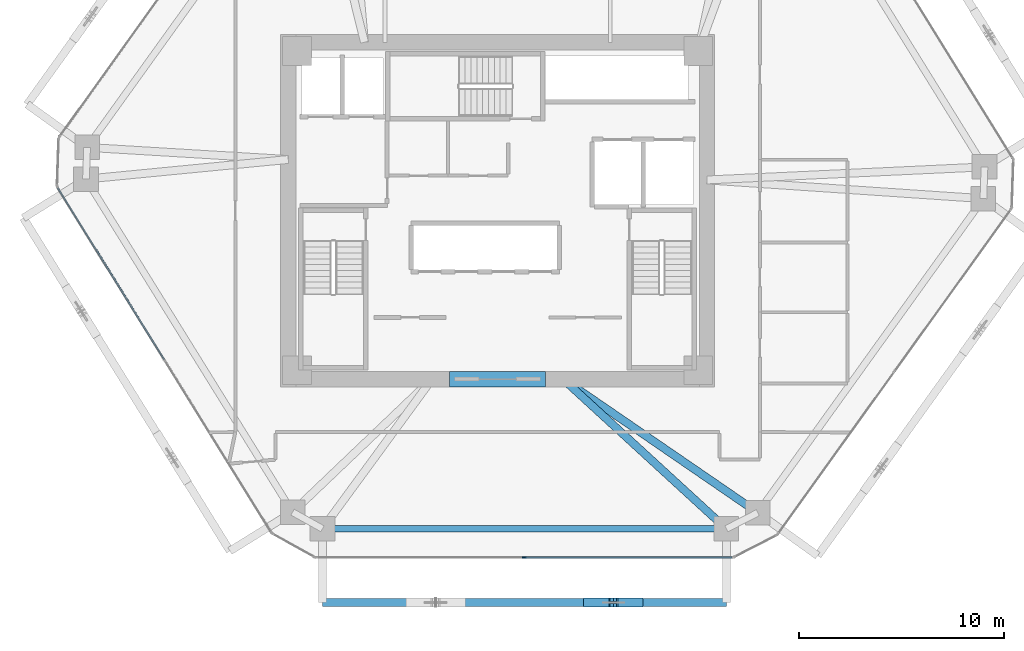
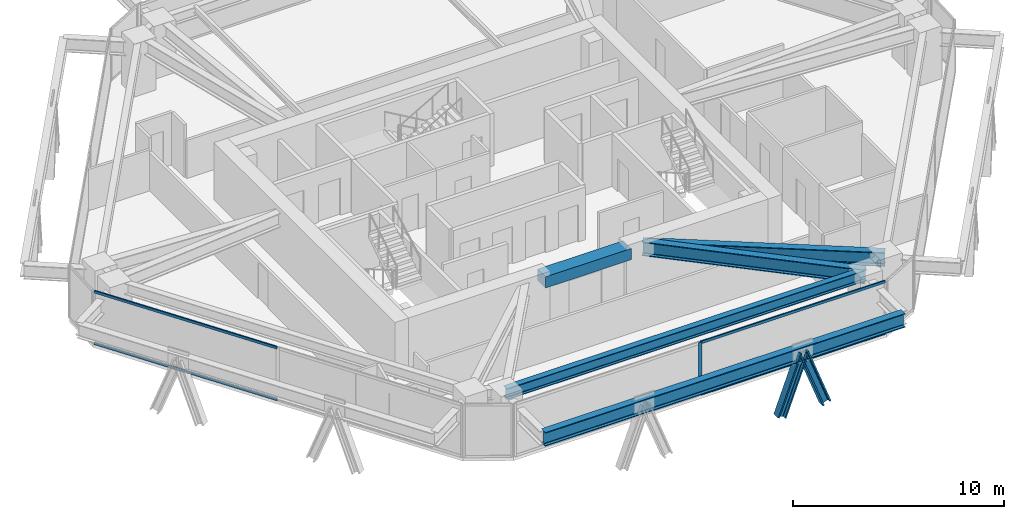
# One storey, part 3 of 15: 7 members, 5 beams, 2 elements without a shape of their own.
"""IFC4 building model written with IfcOpenShell, lengths in metres."""

from ifc_helpers import new_model, si_unit, direction, frame, origin, origin_2d, place, context, subcontext, project, spatial, rectangle, i_section, extrude, source, transform, mapped, material, layer, layer_set, material_profile, profile_set, type_object, type_shapes, element, aggregate, save


model = new_model("IFC4")

# Units and contexts
model_context = context("Model", 3, precision=1e-05, world=origin(), true_north=direction((0.0, 1.0)))
body_context = subcontext(model_context, "Body", "Model", "MODEL_VIEW")
ifc_project = project(units=[si_unit("LENGTHUNIT", "METRE"), si_unit("AREAUNIT", "SQUARE_METRE"), si_unit("VOLUMEUNIT", "CUBIC_METRE"), si_unit("PLANEANGLEUNIT", "RADIAN"), si_unit("MASSUNIT", "GRAM", prefix="KILO")], contexts=[model_context])

# Site, building, storey
site_placement = place(None, origin())
site = spatial("IfcSite", under=ifc_project, at=site_placement, CompositionType="ELEMENT")
building_placement = place(site_placement, origin())
building = spatial("IfcBuilding", under=site, at=building_placement, Name="Durnholm Broadcast Tower", CompositionType="ELEMENT")
storey_placement = place(building_placement, frame((0.0, 0.0, 104.10009765625)))
storey = spatial("IfcBuildingStorey", under=building, at=storey_placement, Name="L27", CompositionType="ELEMENT", Elevation=104.10009765625)

# Beams
ifc_material_1 = material(Name="Concrete C70/85", Category="concrete")
ifc_material_profile_1 = material_profile(ifc_material_1, rectangle(XDim=0.75, YDim=0.64990234375, at=origin_2d()), Name="RC750X650")
ifc_profile_set_1 = profile_set([ifc_material_profile_1], Name="Concrete C70/85")
beam_type_1 = type_object("IfcBeamType", Name="BM-CB-RC650", PredefinedType="LINTEL", material=ifc_profile_set_1)
shared_shape_1 = source(origin(), body_context, "Body", "SweptSolid", [
    extrude(rectangle(XDim=0.75, YDim=0.64990234375, at=origin_2d()), origin(), (0.0, 0.0, 1.0), 4.7001953125),
])
type_shapes(beam_type_1, [shared_shape_1])
beam_1_placement = place(storey_placement, frame((-2.35009765625, -8.22509765625, 2.72998046875), z_axis=(1.0, 0.0, 0.0), x_axis=(0.0, 1.0, 0.0)))
element("IfcBeam", 1, at=beam_1_placement, inside=storey, type_object=beam_type_1, Name="L27 south core coupling lintel beam CB-S", PredefinedType="LINTEL", context=body_context, shape_type="MappedRepresentation", body=[
    mapped(shared_shape_1, transform((0.0, 0.0, 0.0), x_axis=(1.0, 0.0, 0.0), y_axis=(0.0, 1.0, 0.0), z_axis=(0.0, 0.0, 1.0), scale=1.0)),
])
ifc_material_2 = material(Name="Steel ASTM A992 Grade 50", Category="steel")
ifc_material_profile_2 = material_profile(ifc_material_2, i_section(OverallWidth=0.3291015625, OverallDepth=0.635009765625, WebThickness=0.017822265625, FlangeThickness=0.031005859375, FilletRadius=0.02783203125, at=origin_2d()), Name="W24X162")
ifc_profile_set_2 = profile_set([ifc_material_profile_2], Name="Steel ASTM A992 Grade 50")
beam_type_2 = type_object("IfcBeamType", Name="STL-SP-W24X162", PredefinedType="SPANDREL", material=ifc_profile_set_2)
shared_shape_2 = source(origin(), body_context, "Body", "SweptSolid", [
    extrude(i_section(OverallWidth=0.3291015625, OverallDepth=0.635009765625, WebThickness=0.017822265625, FlangeThickness=0.031005859375, FilletRadius=0.02783203125, at=origin_2d()), origin(), (0.0, 0.0, 1.0), 19.72802734375),
])
type_shapes(beam_type_2, [shared_shape_2])
beam_2_placement = place(storey_placement, frame((11.176025390625, -15.537109375, 2.727294921875), z_axis=(-1.0, 0.0, 0.0), x_axis=(0.0, -1.0, 0.0)))
element("IfcBeam", 2, at=beam_2_placement, inside=storey, type_object=beam_type_2, Name="L27 perimeter spandrel girder 11", PredefinedType="SPANDREL", context=body_context, shape_type="MappedRepresentation", body=[
    mapped(shared_shape_2, transform((0.0, 0.0, 0.0), x_axis=(1.0, 0.0, 0.0), y_axis=(0.0, 1.0, 0.0), z_axis=(0.0, 0.0, 1.0), scale=1.0)),
])
ifc_material_profile_3 = material_profile(ifc_material_2, i_section(OverallWidth=0.385009765625, OverallDepth=0.802978515625, WebThickness=0.023681640625, FlangeThickness=0.0419921875, FilletRadius=0.032958984375, at=origin_2d()), Name="W30X261")
ifc_profile_set_3 = profile_set([ifc_material_profile_3], Name="Steel ASTM A992 Grade 50")
beam_type_3 = type_object("IfcBeamType", Name="STL-GR-W30X261", PredefinedType="USERDEFINED", material=ifc_profile_set_3)
shared_shape_3 = source(origin(), body_context, "Body", "SweptSolid", [
    extrude(i_section(OverallWidth=0.385009765625, OverallDepth=0.802978515625, WebThickness=0.023681640625, FlangeThickness=0.0419921875, FilletRadius=0.032958984375, at=origin_2d()), origin(), (0.0, 0.0, 1.0), 11.533447265625),
])
beam_3_placement = place(storey_placement, frame((3.199951171875, -8.22509765625, 2.643310546875), z_axis=(0.824567182461, -0.565764051181, 0.0), x_axis=(0.565764051181, 0.824567182461, 0.0)))
element("IfcBeam", 3, at=beam_3_placement, inside=storey, type_object=beam_type_3, Name="L27 radial primary floor girder 10", ObjectType="GIRDER", PredefinedType="USERDEFINED", context=body_context, shape_type="MappedRepresentation", body=[
    mapped(shared_shape_3, transform((0.0, 0.0, 0.0), x_axis=(1.0, 0.0, 0.0), y_axis=(0.0, 1.0, 0.0), z_axis=(0.0, 0.0, 1.0), scale=1.0)),
])
shared_shape_4 = source(origin(), body_context, "Body", "SweptSolid", [
    extrude(i_section(OverallWidth=0.385009765625, OverallDepth=0.802978515625, WebThickness=0.023681640625, FlangeThickness=0.0419921875, FilletRadius=0.032958984375, at=origin_2d()), origin(), (0.0, 0.0, 1.0), 10.820556640625),
])
type_shapes(beam_type_3, [shared_shape_3, shared_shape_4])
beam_4_placement = place(storey_placement, frame((3.199951171875, -8.22509765625, 2.643310546875), z_axis=(0.737126042516, -0.675755279258, 0.0), x_axis=(0.675755279258, 0.737126042516, 0.0)))
element("IfcBeam", 4, at=beam_4_placement, inside=storey, type_object=beam_type_3, Name="L27 radial primary floor girder 11", ObjectType="GIRDER", PredefinedType="USERDEFINED", context=body_context, shape_type="MappedRepresentation", body=[
    mapped(shared_shape_4, transform((0.0, 0.0, 0.0), x_axis=(1.0, 0.0, 0.0), y_axis=(0.0, 1.0, 0.0), z_axis=(0.0, 0.0, 1.0), scale=1.0)),
])
ifc_material_profile_4 = material_profile(ifc_material_2, i_section(OverallWidth=0.385009765625, OverallDepth=0.802978515625, WebThickness=0.023681640625, FlangeThickness=0.0419921875, FilletRadius=0.032958984375, at=origin_2d()), Name="W30X261")
ifc_profile_set_4 = profile_set([ifc_material_profile_4], Name="Steel ASTM A992 Grade 50")
beam_type_4 = type_object("IfcBeamType", Name="BM-EXO-TIE", PredefinedType="USERDEFINED", material=ifc_profile_set_4)
shared_shape_5 = source(origin(), body_context, "Body", "SweptSolid", [
    extrude(i_section(OverallWidth=0.385009765625, OverallDepth=0.802978515625, WebThickness=0.023681640625, FlangeThickness=0.0419921875, FilletRadius=0.032958984375, at=origin_2d()), origin(), (0.0, 0.0, 1.0), 19.72802734375),
])
type_shapes(beam_type_4, [shared_shape_5])
beam_5_placement = place(storey_placement, frame((-8.552001953125, -19.136962890625, 2.30859375), z_axis=(1.0, 0.0, 0.0), x_axis=(0.0, 1.0, 0.0)))
element("IfcBeam", 5, at=beam_5_placement, inside=storey, type_object=beam_type_4, Name="L27 exoskeleton collector spandrel F1", PredefinedType="SPANDREL", context=body_context, shape_type="MappedRepresentation", body=[
    mapped(shared_shape_5, transform((0.0, 0.0, 0.0), x_axis=(1.0, 0.0, 0.0), y_axis=(0.0, 1.0, 0.0), z_axis=(0.0, 0.0, 1.0), scale=1.0)),
])

# Members
ifc_material_3 = material(Name="Steel ASTM A913 Grade 65", Category="steel")
ifc_material_profile_5 = material_profile(ifc_material_3, i_section(OverallWidth=0.424072265625, OverallDepth=0.47412109375, WebThickness=0.047607421875, FlangeThickness=0.0771484375, FilletRadius=0.030517578125, at=origin_2d()), Name="W14X426")
ifc_profile_set_5 = profile_set([ifc_material_profile_5], Name="Steel ASTM A913 Grade 65")
member_type_1 = type_object("IfcMemberType", Name="STL-DG-W14X426", PredefinedType="BRACE", material=ifc_profile_set_5)
shared_shape_6 = source(origin(), body_context, "Body", "SweptSolid", [
    extrude(i_section(OverallWidth=0.424072265625, OverallDepth=0.47412109375, WebThickness=0.047607421875, FlangeThickness=0.0771484375, FilletRadius=0.030517578125, at=origin_2d()), origin(), (0.0, 0.0, 1.0), 3.523193359375),
])
type_shapes(member_type_1, [shared_shape_6])
for number, where, z_axis, x_axis, name in (
    (6, (4.41845703125, -19.136962890625, -0.991455078125), (0.350219588454, 0.0, 0.936667625075), (0.0, 1.0, 0.0), "L27 stand-off diagrid brace F1.D2.1"),
    (7, (6.885986328125, -19.136962890625, -0.991455078125), (-0.350158790071, 0.0, 0.936690355313), (0.0, -1.0, 0.0), "L27 stand-off diagrid brace F1.D2.2"),
):
    element("IfcMember", number, at=place(storey_placement, frame(where, z_axis=z_axis, x_axis=x_axis)), inside=storey, type_object=member_type_1, Name=name, PredefinedType="BRACE", context=body_context, shape_type="MappedRepresentation", body=[
        mapped(shared_shape_6, transform((0.0, 0.0, 0.0), x_axis=(1.0, 0.0, 0.0), y_axis=(0.0, 1.0, 0.0), z_axis=(0.0, 0.0, 1.0), scale=1.0)),
    ])

# Curtain wall, members
ifc_material_4 = material(Name="Aluminium and Solar Control IGU", Category="aluminium")
ifc_layer = layer(ifc_material_4, 0.18994140625)
ifc_layer_set = layer_set([ifc_layer], Name="Aluminium and Solar Control IGU")
curtain_wall_type = type_object("IfcCurtainWallType", Name="CW-SYS-3", PredefinedType="NOTDEFINED", material=ifc_layer_set)
curtain_wall_1_placement = place(storey_placement, origin())
curtain_wall_1 = element("IfcCurtainWall", 8, at=curtain_wall_1_placement, inside=storey, type_object=curtain_wall_type, Name="L27 curtain wall CW-Z12-VIS CW-L27-F10", PredefinedType="NOTDEFINED")
ifc_material_5 = material(Name="Aluminium 6063-T6", Category="aluminium")
ifc_material_profile_6 = material_profile(ifc_material_5, rectangle(XDim=0.070068359375, YDim=0.18994140625, at=origin_2d()), Name="CWM70X190")
ifc_profile_set_6 = profile_set([ifc_material_profile_6], Name="Aluminium 6063-T6")
member_type_2 = type_object("IfcMemberType", Name="CW-SYS-3-MUL", PredefinedType="MULLION", material=ifc_profile_set_6)
shared_shape_7 = source(origin(), body_context, "Body", "SweptSolid", [
    extrude(rectangle(XDim=0.070068359375, YDim=0.18994140625, at=origin_2d()), origin(), (0.0, 0.0, 1.0), 3.059814453125),
])
type_shapes(member_type_2, [shared_shape_7])
member_1_placement = place(storey_placement, frame((1.299560546875, -16.93701171875, 0.0), z_axis=(0.0, 0.0, 1.0), x_axis=(0.0, -1.0, 0.0)))
member_1 = element("IfcMember", 9, at=member_1_placement, type_object=member_type_2, Name="CW-Z12-VIS mullion 2", PredefinedType="MULLION", context=body_context, shape_type="MappedRepresentation", body=[
    mapped(shared_shape_7, transform((0.0, 0.0, 0.0), x_axis=(1.0, 0.0, 0.0), y_axis=(0.0, 1.0, 0.0), z_axis=(0.0, 0.0, 1.0), scale=1.0)),
])
ifc_material_profile_7 = material_profile(ifc_material_5, rectangle(XDim=0.070068359375, YDim=0.14990234375, at=origin_2d()), Name="CWT70X150")
ifc_profile_set_7 = profile_set([ifc_material_profile_7], Name="Aluminium 6063-T6")
member_type_3 = type_object("IfcMemberType", Name="CW-SYS-3-TRN", PredefinedType="USERDEFINED", material=ifc_profile_set_7)
shared_shape_8 = source(origin(), body_context, "Body", "SweptSolid", [
    extrude(rectangle(XDim=0.070068359375, YDim=0.14990234375, at=origin_2d()), origin(), (0.0, 0.0, 1.0), 10.109619140625),
])
member_2_placement = place(storey_placement, frame((11.444091796875, -16.93701171875, 0.034912109375), z_axis=(-1.0, 0.0, 0.0), x_axis=(0.0, -1.0, 0.0)))
member_2 = element("IfcMember", 10, at=member_2_placement, type_object=member_type_3, Name="CW-Z12-VIS transom 1.1", ObjectType="TRANSOM", PredefinedType="USERDEFINED", context=body_context, shape_type="MappedRepresentation", body=[
    mapped(shared_shape_8, transform((0.0, 0.0, 0.0), x_axis=(1.0, 0.0, 0.0), y_axis=(0.0, 1.0, 0.0), z_axis=(0.0, 0.0, 1.0), scale=1.0)),
])
member_3_placement = place(storey_placement, frame((11.444091796875, -16.93701171875, 3.02490234375), z_axis=(-1.0, 0.0, 0.0), x_axis=(0.0, -1.0, 0.0)))
member_3 = element("IfcMember", 11, at=member_3_placement, type_object=member_type_3, Name="CW-Z12-VIS transom 1.2", ObjectType="TRANSOM", PredefinedType="USERDEFINED", context=body_context, shape_type="MappedRepresentation", body=[
    mapped(shared_shape_8, transform((0.0, 0.0, 0.0), x_axis=(1.0, 0.0, 0.0), y_axis=(0.0, 1.0, 0.0), z_axis=(0.0, 0.0, 1.0), scale=1.0)),
])
aggregate(curtain_wall_1, [member_1, member_2, member_3])

curtain_wall_2_placement = place(storey_placement, origin())
curtain_wall_2 = element("IfcCurtainWall", 12, at=curtain_wall_2_placement, inside=storey, type_object=curtain_wall_type, Name="L27 curtain wall CW-Z12-VIS CW-L27-F12", PredefinedType="NOTDEFINED")
shared_shape_9 = source(origin(), body_context, "Body", "SweptSolid", [
    extrude(rectangle(XDim=0.070068359375, YDim=0.14990234375, at=origin_2d()), origin(), (0.0, 0.0, 1.0), 9.85888671875),
])
type_shapes(member_type_3, [shared_shape_8, shared_shape_9])
member_4_placement = place(storey_placement, frame((-16.28271484375, -7.27294921875, 0.034912109375), z_axis=(-0.527119964735, 0.849790881793, 0.0), x_axis=(-0.849790881793, -0.527119964735, 0.0)))
member_4 = element("IfcMember", 13, at=member_4_placement, type_object=member_type_3, Name="CW-Z12-VIS transom 2.1", ObjectType="TRANSOM", PredefinedType="USERDEFINED", context=body_context, shape_type="MappedRepresentation", body=[
    mapped(shared_shape_9, transform((0.0, 0.0, 0.0), x_axis=(1.0, 0.0, 0.0), y_axis=(0.0, 1.0, 0.0), z_axis=(0.0, 0.0, 1.0), scale=1.0)),
])
member_5_placement = place(storey_placement, frame((-16.28271484375, -7.27294921875, 3.02490234375), z_axis=(-0.527119964735, 0.849790881793, 0.0), x_axis=(-0.849790881793, -0.527119964735, 0.0)))
member_5 = element("IfcMember", 14, at=member_5_placement, type_object=member_type_3, Name="CW-Z12-VIS transom 2.2", ObjectType="TRANSOM", PredefinedType="USERDEFINED", context=body_context, shape_type="MappedRepresentation", body=[
    mapped(shared_shape_9, transform((0.0, 0.0, 0.0), x_axis=(1.0, 0.0, 0.0), y_axis=(0.0, 1.0, 0.0), z_axis=(0.0, 0.0, 1.0), scale=1.0)),
])
aggregate(curtain_wall_2, [member_4, member_5])

save(model, "model.ifc")
